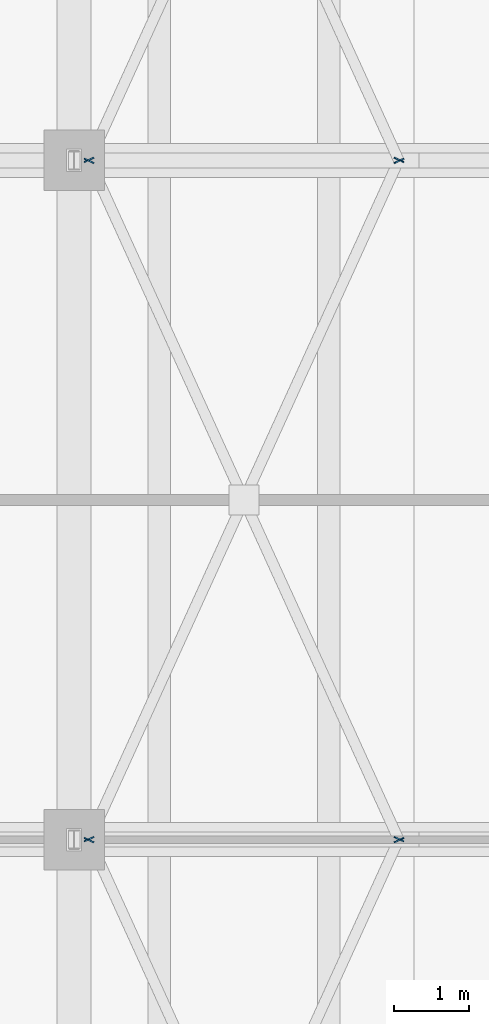
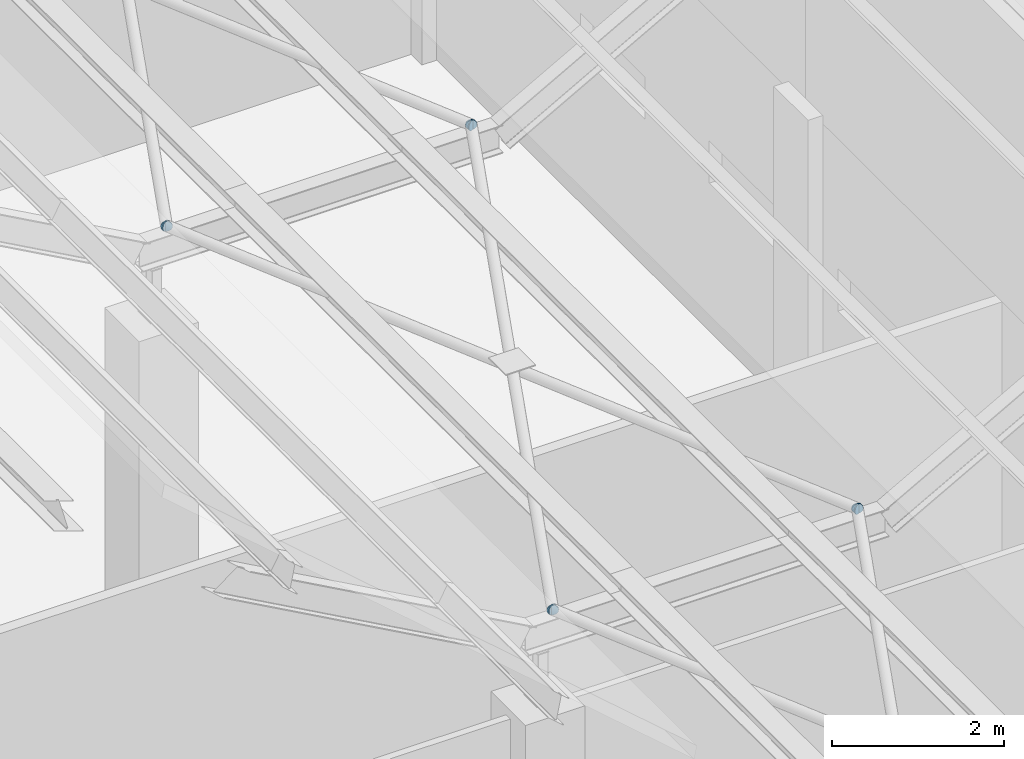
# One storey, part 258 of 437: 8 plates.
"""IFC4 building model written with IfcOpenShell, lengths in metres."""

from ifc_helpers import new_model, si_unit, direction, frame, origin, place, context, subcontext, project, spatial, polyline, outline, extrude, material, layer, layer_set, type_object, element, save


model = new_model("IFC4")

# Units and contexts
model_context = context("Model", 3, precision=1e-05, world=origin(), true_north=direction((0.0, 1.0)))
body_context = subcontext(model_context, "Body", "Model", "MODEL_VIEW")
ifc_project = project(units=[si_unit("LENGTHUNIT", "METRE"), si_unit("AREAUNIT", "SQUARE_METRE"), si_unit("VOLUMEUNIT", "CUBIC_METRE"), si_unit("PLANEANGLEUNIT", "RADIAN"), si_unit("MASSUNIT", "GRAM", prefix="KILO")], contexts=[model_context])

# Site, building, storey
site_placement = place(None, origin())
site = spatial("IfcSite", under=ifc_project, at=site_placement, CompositionType="ELEMENT")
building_placement = place(site_placement, origin())
building = spatial("IfcBuilding", under=site, at=building_placement, Name="Opaline Strait Convention Centre", CompositionType="ELEMENT")
storey_placement = place(building_placement, frame((0.0, 0.0, 11.5)))
storey = spatial("IfcBuildingStorey", under=building, at=storey_placement, Name="L02", CompositionType="ELEMENT", Elevation=11.5)

# Plates
ifc_material = material(Name="Steel Q355B", Category="steel")
ifc_layer = layer(ifc_material, 0.014892578125)
ifc_layer_set = layer_set([ifc_layer], Name="Steel Q355B")
plate_type = type_object("IfcPlateType", Name="Brace end plate 15 Q355B", PredefinedType="SHEET", material=ifc_layer_set)
plate_1_placement = place(storey_placement, frame((76.369873046875, 62.984619140625, 5.8701171875), z_axis=(0.414836562991, 0.909895942406, 0.0), x_axis=(-0.177910529408, 0.08111234384, -0.980698032629)))
element("IfcPlate", 1, at=plate_1_placement, inside=storey, type_object=plate_type, Name="Brace end plate 6-72-1 B", PredefinedType="SHEET", context=body_context, shape_type="SweptSolid", body=[
    extrude(outline(polyline([(0.0, 0.0), (0.027384034490214523, 0.0), (0.05259810373367019, 0.01034279223465002), (0.07188715209514629, 0.02967508543352096), (0.08240902159594816, 0.054979246310342914), (0.08237624613104702, 0.08228448671060286), (0.07195256152583068, 0.1074175665672149), (0.05267641506137637, 0.1268571903509166), (0.027386238814677905, 0.13735920588947814), (0.00024163255508571554, 0.13731146945521194), (-0.025015871876213673, 0.12675082244502134), (-0.04428128786816646, 0.10753706043741668), (-0.054783354550647916, 0.08233222314486904), (-0.05477038190406719, 0.054927659160334784), (-0.04437032966837416, 0.029676048112456443), (-0.025050748016076124, 0.010454279104295326), (0.0, 0.0)])), origin(), (0.0, 0.0, -1.0), 0.014892578125),
])
plate_2_placement = place(storey_placement, frame((72.257568359375, 63.042724609375, 5.8701171875), z_axis=(-0.414836562991, 0.909895942406, 0.0), x_axis=(-0.177910529408, -0.08111234384, -0.980698032629)))
element("IfcPlate", 2, at=plate_2_placement, inside=storey, type_object=plate_type, Name="Brace end plate 6-72-3 B", PredefinedType="SHEET", context=body_context, shape_type="SweptSolid", body=[
    extrude(outline(polyline([(0.0, 0.0), (0.027384034490214523, 0.0), (0.0526415389215139, 0.010560647010190617), (0.0719069549134667, 0.029774409017795267), (0.08240902159594816, 0.054979246310342914), (0.08239604894936743, 0.08238381029487717), (0.07199599671367439, 0.10763542134275551), (0.05267641506137637, 0.1268571903509166), (0.027386238814677905, 0.13735920588947814), (0.00024163255508571554, 0.13731146945521194), (-0.02497243668836996, 0.12696867722056193), (-0.04426148504984605, 0.10763638402169098), (-0.054783354550647916, 0.08233222314486904), (-0.05475057908574677, 0.05502698274460909), (-0.04432689448053045, 0.029893902887997044), (-0.025050748016076124, 0.010454279104295326), (0.0, 0.0)])), origin(), (0.0, 0.0, -1.0), 0.014892578125),
])
plate_3_placement = place(storey_placement, frame((72.263671875, 62.970947265625, 5.8701171875), z_axis=(0.415113120833, 0.909769804353, 0.0), x_axis=(-0.177885602626, 0.081166298666, -0.980698090311)))
element("IfcPlate", 3, at=plate_3_placement, inside=storey, type_object=plate_type, Name="Brace end plate 7-72-1 A", PredefinedType="SHEET", context=body_context, shape_type="SweptSolid", body=[
    extrude(outline(polyline([(0.0, 0.0), (0.027384032879565874, 8.673617379884035e-19), (0.05259810512352661, 0.010342830025946591), (0.07188713763616415, 0.029675078027945424), (0.08240900482074467, 0.0549792678324168), (0.082396029238314, 0.08238385763677121), (0.07195253030535285, 0.10741759014200784), (0.05267637813642449, 0.12685720839116532), (0.02738619718093451, 0.13735920839058052), (0.00024159254607343875, 0.13731147202694682), (-0.02501590880009087, 0.12675081741365854), (-0.044261512210524837, 0.10763639399900138), (-0.054783379395105344, 0.08233220419453002), (-0.054770403812674694, 0.0549276143901756), (-0.044370333981917115, 0.029676057297597293), (-0.02505075271078518, 0.010454263635781492), (0.0, 0.0)])), origin(), (0.0, 0.0, -1.0), 0.014892578125),
])
plate_4_placement = place(storey_placement, frame((76.369873046875, 71.984619140625, 5.8701171875), z_axis=(0.414836562991, 0.909895942406, 0.0), x_axis=(-0.177910529408, 0.08111234384, -0.980698032629)))
element("IfcPlate", 4, at=plate_4_placement, inside=storey, type_object=plate_type, Name="Brace end plate 7-72-1 B", PredefinedType="SHEET", context=body_context, shape_type="SweptSolid", body=[
    extrude(outline(polyline([(0.0, 0.0), (0.027384034490214523, 0.0), (0.05259810373367019, 0.01034279223465002), (0.07188715209514629, 0.02967508543352096), (0.08240902159594816, 0.054979246310342914), (0.08237624613104702, 0.08228448671060286), (0.07195256152583068, 0.1074175665672149), (0.05267641506137637, 0.1268571903509166), (0.027386238814677905, 0.13735920588947814), (0.00024163255508571554, 0.13731146945521194), (-0.025015871876213673, 0.12675082244502134), (-0.04428128786816646, 0.10753706043741668), (-0.054783354550647916, 0.08233222314486904), (-0.05477038190406719, 0.054927659160334784), (-0.04437032966837416, 0.029676048112456443), (-0.025050748016076124, 0.010454279104295326), (0.0, 0.0)])), origin(), (0.0, 0.0, -1.0), 0.014892578125),
])
plate_5_placement = place(storey_placement, frame((76.36376953125, 63.029052734375, 5.8701171875), z_axis=(-0.415113120833, 0.909769804353, 0.0), x_axis=(-0.177885602626, -0.081166298666, -0.980698090311)))
element("IfcPlate", 5, at=plate_5_placement, inside=storey, type_object=plate_type, Name="Brace end plate 7-72-2 A", PredefinedType="SHEET", context=body_context, shape_type="SweptSolid", body=[
    extrude(outline(polyline([(0.0, 0.0), (0.027384032879565874, 8.673617379884035e-19), (0.052641534225730174, 0.010560654613288265), (0.07188713763616415, 0.029675078027945424), (0.08240900482074467, 0.0549792678324168), (0.082396029238314, 0.08238385763677121), (0.07199595940755642, 0.10763541472934952), (0.05267637813642449, 0.12685720839116532), (0.02738619718093451, 0.13735920839058052), (0.00024159254607343875, 0.13731147202694682), (-0.024972479697887306, 0.12696864200100022), (-0.044261512210524837, 0.10763639399900138), (-0.054783379395105344, 0.08233220419453002), (-0.054770403812674694, 0.0549276143901756), (-0.04432690487971355, 0.029893881884938966), (-0.02505075271078518, 0.010454263635781492), (0.0, 0.0)])), origin(), (0.0, 0.0, -1.0), 0.014892578125),
])
plate_6_placement = place(storey_placement, frame((72.257568359375, 72.042724609375, 5.8701171875), z_axis=(-0.414836562991, 0.909895942406, 0.0), x_axis=(-0.177910529408, -0.08111234384, -0.980698032629)))
element("IfcPlate", 6, at=plate_6_placement, inside=storey, type_object=plate_type, Name="Brace end plate 7-72-3 B", PredefinedType="SHEET", context=body_context, shape_type="SweptSolid", body=[
    extrude(outline(polyline([(0.0, 0.0), (0.027384034490214523, 0.0), (0.0526415389215139, 0.010560647010190617), (0.0719069549134667, 0.029774409017795267), (0.08240902159594816, 0.054979246310342914), (0.08239604894936743, 0.08238381029487717), (0.07199599671367439, 0.10763542134275551), (0.05267641506137637, 0.1268571903509166), (0.027386238814677905, 0.13735920588947814), (0.00024163255508571554, 0.13731146945521194), (-0.02497243668836996, 0.12696867722056193), (-0.04426148504984605, 0.10763638402169098), (-0.054783354550647916, 0.08233222314486904), (-0.05475057908574677, 0.05502698274460909), (-0.04432689448053045, 0.029893902887997044), (-0.025050748016076124, 0.010454279104295326), (0.0, 0.0)])), origin(), (0.0, 0.0, -1.0), 0.014892578125),
])
plate_7_placement = place(storey_placement, frame((72.263671875, 71.970947265625, 5.8701171875), z_axis=(0.415113120833, 0.909769804353, 0.0), x_axis=(-0.177885602626, 0.081166298666, -0.980698090311)))
element("IfcPlate", 7, at=plate_7_placement, inside=storey, type_object=plate_type, Name="Brace end plate 8-72-1 A", PredefinedType="SHEET", context=body_context, shape_type="SweptSolid", body=[
    extrude(outline(polyline([(0.0, 0.0), (0.027384032879565874, 8.673617379884035e-19), (0.05259810512352661, 0.010342830025946591), (0.07188713763616415, 0.029675078027945424), (0.08240900482074467, 0.0549792678324168), (0.082396029238314, 0.08238385763677121), (0.07195253030535285, 0.10741759014200784), (0.05267637813642449, 0.12685720839116532), (0.02738619718093451, 0.13735920839058052), (0.00024159254607343875, 0.13731147202694682), (-0.02501590880009087, 0.12675081741365854), (-0.044261512210524837, 0.10763639399900138), (-0.054783379395105344, 0.08233220419453002), (-0.054770403812674694, 0.0549276143901756), (-0.044370333981917115, 0.029676057297597293), (-0.02505075271078518, 0.010454263635781492), (0.0, 0.0)])), origin(), (0.0, 0.0, -1.0), 0.014892578125),
])
plate_8_placement = place(storey_placement, frame((76.36376953125, 72.029052734375, 5.8701171875), z_axis=(-0.415113120833, 0.909769804353, 0.0), x_axis=(-0.177885602626, -0.081166298666, -0.980698090311)))
element("IfcPlate", 8, at=plate_8_placement, inside=storey, type_object=plate_type, Name="Brace end plate 8-72-2 A", PredefinedType="SHEET", context=body_context, shape_type="SweptSolid", body=[
    extrude(outline(polyline([(0.0, 0.0), (0.027384032879565874, 8.673617379884035e-19), (0.052641534225730174, 0.010560654613288265), (0.07188713763616415, 0.029675078027945424), (0.08240900482074467, 0.0549792678324168), (0.082396029238314, 0.08238385763677121), (0.07199595940755642, 0.10763541472934952), (0.05267637813642449, 0.12685720839116532), (0.02738619718093451, 0.13735920839058052), (0.00024159254607343875, 0.13731147202694682), (-0.024972479697887306, 0.12696864200100022), (-0.044261512210524837, 0.10763639399900138), (-0.054783379395105344, 0.08233220419453002), (-0.054770403812674694, 0.0549276143901756), (-0.04432690487971355, 0.029893881884938966), (-0.02505075271078518, 0.010454263635781492), (0.0, 0.0)])), origin(), (0.0, 0.0, -1.0), 0.014892578125),
])

save(model, "model.ifc")
